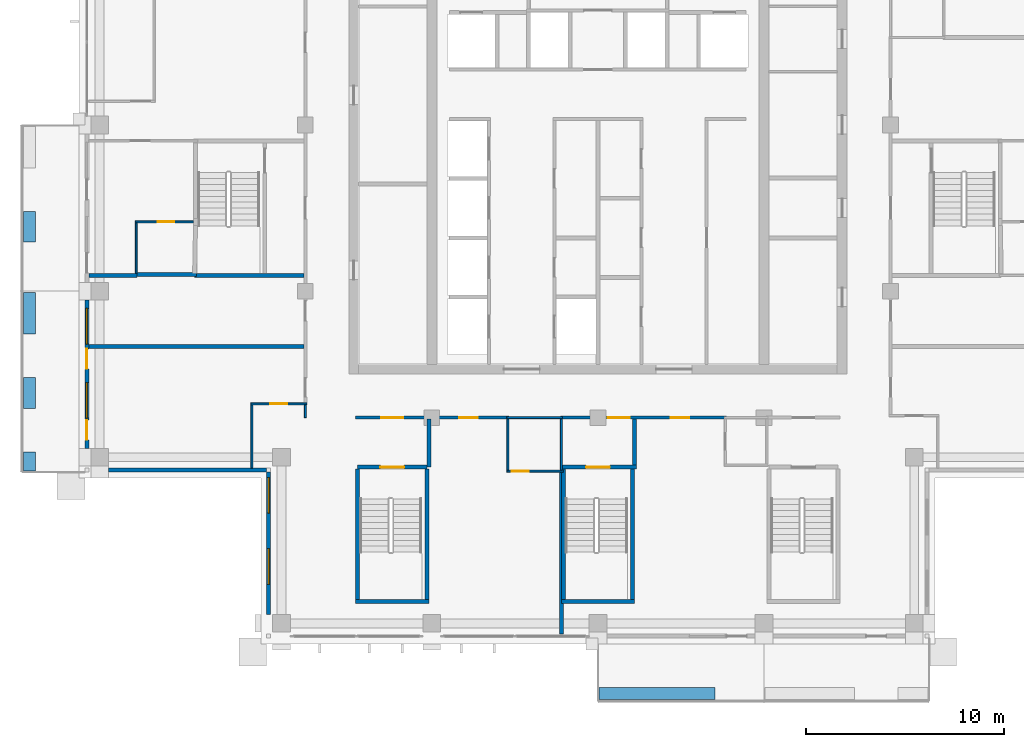
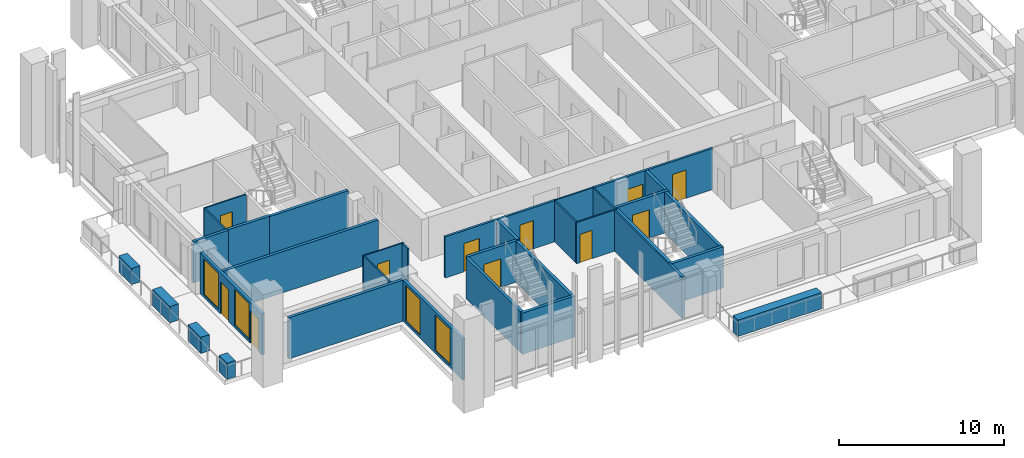
# One storey, part 8 of 18: 34 walls, 11 doors, 4 windows, 15 openings.
"""IFC4 building model written with IfcOpenShell, lengths in metres."""

from ifc_helpers import new_model, si_unit, direction, frame, frame_2d, origin, place, context, subcontext, project, spatial, rectangle, extrude, material, layer, layer_set, type_object, element, fill, save


model = new_model("IFC4")

# Units and contexts
model_context = context("Model", 3, precision=1e-05, world=origin(), true_north=direction((0.0, 1.0)))
body_context = subcontext(model_context, "Body", "Model", "MODEL_VIEW")
ifc_project = project(units=[si_unit("LENGTHUNIT", "METRE"), si_unit("AREAUNIT", "SQUARE_METRE"), si_unit("VOLUMEUNIT", "CUBIC_METRE"), si_unit("PLANEANGLEUNIT", "RADIAN"), si_unit("MASSUNIT", "GRAM", prefix="KILO")], contexts=[model_context])

# Site, building, storey
site_placement = place(None, origin())
site = spatial("IfcSite", under=ifc_project, at=site_placement, CompositionType="ELEMENT")
building_placement = place(site_placement, origin())
building = spatial("IfcBuilding", under=site, at=building_placement, Name="Vermilion Ogive Tower", CompositionType="ELEMENT")
storey_placement = place(building_placement, frame((0.0, 0.0, 240.699951171875)))
storey = spatial("IfcBuildingStorey", under=building, at=storey_placement, Name="L63", CompositionType="ELEMENT", Elevation=240.699951171875)

# Wall, opening, door
ifc_material_1 = material(Name="Gypsum board partition on steel studs", Category="steel")
ifc_layer_1 = layer(ifc_material_1, 0.10009765625)
ifc_layer_set_1 = layer_set([ifc_layer_1], Name="Partition 100 bath")
wall_type_1 = type_object("IfcWallType", Name="Partition 100 bath", PredefinedType="PARTITIONING", material=ifc_layer_set_1)
wall_1_placement = place(storey_placement, frame((-4.60009765625, -13.300048828125, 0.0), z_axis=(0.0, 0.0, 1.0), x_axis=(1.0, 0.0, 0.0)))
wall_1 = element("IfcWall", 1, at=wall_1_placement, inside=storey, type_object=wall_type_1, Name="L63-W-W002", PredefinedType="PARTITIONING", context=body_context, shape_type="SweptSolid", body=[
    extrude(rectangle(XDim=2.85009765625, YDim=0.10009765625, at=frame_2d((1.425048828125, 0.0))), origin(), (0.0, 0.0, 1.0), 3.050048828125),
])
opening_1_placement = place(wall_1_placement, frame((0.25, 0.0, 0.0)))
opening_1 = element("IfcOpeningElement", 2, at=opening_1_placement, cuts=wall_1, Name="Opening D5G3010", PredefinedType="OPENING", context=body_context, shape_type="SweptSolid", body=[
    extrude(rectangle(XDim=0.85009765625, YDim=2.10009765625, at=frame_2d((0.425048828125, 1.050048828125))), frame((0.0, 0.06005859375, 0.0), z_axis=(0.0, -1.0, 0.0), x_axis=(1.0, 0.0, 0.0)), (0.0, 0.0, 1.0), 0.1201171875),
])
ifc_material_2 = material(Name="Timber door leaf", Category="wood")
door_type_1 = type_object("IfcDoorType", Name="Bath door 850 x 2100 FD30", OperationType="SINGLE_SWING_LEFT", PredefinedType="DOOR", material=ifc_material_2)
door_1_placement = place(opening_1_placement, origin())
door_1 = element("IfcDoor", 3, at=door_1_placement, inside=storey, type_object=door_type_1, Name="L63-D-D010", OperationType="SINGLE_SWING_LEFT", OverallHeight=2.10009765625, OverallWidth=0.85009765625, PredefinedType="DOOR", context=body_context, shape_type="SweptSolid", body=[
    extrude(rectangle(XDim=0.85009765625, YDim=2.10009765625, at=frame_2d((0.425048828125, 1.050048828125))), frame((0.0, 0.02490234375, 0.0), z_axis=(0.0, -1.0, 0.0), x_axis=(1.0, 0.0, 0.0)), (0.0, 0.0, 1.0), 0.050048828125),
])
fill(opening_1, door_1)

# Wall
wall_2_placement = place(storey_placement, frame((-4.60009765625, -10.60009765625, 0.0), z_axis=(0.0, 0.0, 1.0), x_axis=(1.0, 0.0, 0.0)))
element("IfcWall", 4, at=wall_2_placement, inside=storey, type_object=wall_type_1, Name="L63-W-W008", PredefinedType="PARTITIONING", context=body_context, shape_type="SweptSolid", body=[
    extrude(rectangle(XDim=2.800048828125, YDim=0.10009765625, at=frame_2d((1.39990234375, 0.0))), origin(), (0.0, 0.0, 1.0), 3.050048828125),
])

# Wall, opening, door
wall_3_placement = place(storey_placement, frame((-17.550048828125, -9.89990234375, 0.0), z_axis=(0.0, 0.0, 1.0), x_axis=(1.0, 0.0, 0.0)))
wall_3 = element("IfcWall", 5, at=wall_3_placement, inside=storey, type_object=wall_type_1, Name="L63-W-W013", PredefinedType="PARTITIONING", context=body_context, shape_type="SweptSolid", body=[
    extrude(rectangle(XDim=2.824951171875, YDim=0.10009765625, at=frame_2d((1.41259765625, 0.0))), origin(), (0.0, 0.0, 1.0), 3.050048828125),
])
opening_2_placement = place(wall_3_placement, frame((0.97509765625, 0.0, 0.0)))
opening_2 = element("IfcOpeningElement", 6, at=opening_2_placement, cuts=wall_3, Name="Opening D5G3002", PredefinedType="OPENING", context=body_context, shape_type="SweptSolid", body=[
    extrude(rectangle(XDim=0.85009765625, YDim=2.10009765625, at=frame_2d((0.425048828125, 1.050048828125))), frame((0.0, 0.06005859375, 0.0), z_axis=(0.0, -1.0, 0.0), x_axis=(1.0, 0.0, 0.0)), (0.0, 0.0, 1.0), 0.1201171875),
])
door_2_placement = place(opening_2_placement, origin())
door_2 = element("IfcDoor", 7, at=door_2_placement, inside=storey, type_object=door_type_1, Name="L63-D-D002", OperationType="SINGLE_SWING_RIGHT", OverallHeight=2.10009765625, OverallWidth=0.85009765625, PredefinedType="DOOR", context=body_context, shape_type="SweptSolid", body=[
    extrude(rectangle(XDim=0.85009765625, YDim=2.10009765625, at=frame_2d((0.425048828125, 1.050048828125))), frame((0.0, 0.02490234375, 0.0), z_axis=(0.0, -1.0, 0.0), x_axis=(1.0, 0.0, 0.0)), (0.0, 0.0, 1.0), 0.050048828125),
])
fill(opening_2, door_2)

wall_4_placement = place(storey_placement, frame((-23.39990234375, -0.699951171875, 0.0), z_axis=(0.0, 0.0, 1.0), x_axis=(1.0, 0.0, 0.0)))
wall_4 = element("IfcWall", 8, at=wall_4_placement, inside=storey, type_object=wall_type_1, Name="L63-W-W022", PredefinedType="PARTITIONING", context=body_context, shape_type="SweptSolid", body=[
    extrude(rectangle(XDim=2.949951171875, YDim=0.10009765625, at=frame_2d((1.47509765625, 0.0))), origin(), (0.0, 0.0, 1.0), 3.050048828125),
])
opening_3_placement = place(wall_4_placement, frame((1.125, 0.0, 0.0)))
opening_3 = element("IfcOpeningElement", 9, at=opening_3_placement, cuts=wall_4, Name="Opening D5G3006", PredefinedType="OPENING", context=body_context, shape_type="SweptSolid", body=[
    extrude(rectangle(XDim=0.85009765625, YDim=2.10009765625, at=frame_2d((0.425048828125, 1.050048828125))), frame((0.0, 0.06005859375, 0.0), z_axis=(0.0, -1.0, 0.0), x_axis=(1.0, 0.0, 0.0)), (0.0, 0.0, 1.0), 0.1201171875),
])
door_3_placement = place(opening_3_placement, origin())
door_3 = element("IfcDoor", 10, at=door_3_placement, inside=storey, type_object=door_type_1, Name="L63-D-D006", OperationType="SINGLE_SWING_RIGHT", OverallHeight=2.10009765625, OverallWidth=0.85009765625, PredefinedType="DOOR", context=body_context, shape_type="SweptSolid", body=[
    extrude(rectangle(XDim=0.85009765625, YDim=2.10009765625, at=frame_2d((0.425048828125, 1.050048828125))), frame((0.0, 0.02490234375, 0.0), z_axis=(0.0, -1.0, 0.0), x_axis=(1.0, 0.0, 0.0)), (0.0, 0.0, 1.0), 0.050048828125),
])
fill(opening_3, door_3)

# Walls
wall_5_placement = place(storey_placement, frame((-23.35009765625, -3.300048828125, 0.0), z_axis=(0.0, 0.0, 1.0), x_axis=(0.0, 1.0, 0.0)))
element("IfcWall", 11, at=wall_5_placement, inside=storey, type_object=wall_type_1, Name="L63-W-W037", PredefinedType="PARTITIONING", context=body_context, shape_type="SweptSolid", body=[
    extrude(rectangle(XDim=2.550048828125, YDim=0.10009765625, at=frame_2d((1.27490234375, 0.0))), origin(), (0.0, 0.0, 1.0), 3.050048828125),
])
wall_6_placement = place(storey_placement, frame((-17.5, -13.14990234375, 0.0), z_axis=(0.0, 0.0, 1.0), x_axis=(0.0, 1.0, 0.0)))
element("IfcWall", 12, at=wall_6_placement, inside=storey, type_object=wall_type_1, Name="L63-W-W041", PredefinedType="PARTITIONING", context=body_context, shape_type="SweptSolid", body=[
    extrude(rectangle(XDim=3.199951171875, YDim=0.10009765625, at=frame_2d((1.60009765625, 0.0))), origin(), (0.0, 0.0, 1.0), 3.050048828125),
])
wall_7_placement = place(storey_placement, frame((-14.800048828125, -10.60009765625, 0.0), z_axis=(0.0, 0.0, 1.0), x_axis=(0.0, 1.0, 0.0)))
element("IfcWall", 13, at=wall_7_placement, inside=storey, type_object=wall_type_1, Name="L63-W-W043", PredefinedType="PARTITIONING", context=body_context, shape_type="SweptSolid", body=[
    extrude(rectangle(XDim=0.650146484375, YDim=0.10009765625, at=frame_2d((0.3251953125, 0.0))), origin(), (0.0, 0.0, 1.0), 3.050048828125),
])
for number, where, z_axis, x_axis, name in (
    (14, (-4.550048828125, -13.25, 0.0), (0.0, 0.0, 1.0), (0.0, 1.0, 0.0), "L63-W-W046"),
    (15, (-1.85009765625, -13.25, 0.0), (0.0, 0.0, 1.0), (0.0, 1.0, 0.0), "L63-W-W048"),
):
    element("IfcWall", number, at=place(storey_placement, frame(where, z_axis=z_axis, x_axis=x_axis)), inside=storey, type_object=wall_type_1, Name=name, PredefinedType="PARTITIONING", context=body_context, shape_type="SweptSolid", body=[
        extrude(rectangle(XDim=2.574951171875, YDim=0.10009765625, at=frame_2d((1.28759765625, 0.0))), origin(), (0.0, 0.0, 1.0), 3.050048828125),
    ])

# Wall, openings, doors
ifc_material_3 = material(Name="Gypsum board partition on steel studs", Category="steel")
ifc_layer_2 = layer(ifc_material_3, 0.14990234375)
ifc_layer_set_2 = layer_set([ifc_layer_2], Name="Partition 150 corridor")
wall_type_2 = type_object("IfcWallType", Name="Partition 150 corridor", PredefinedType="PARTITIONING", material=ifc_layer_set_2)
wall_8_placement = place(storey_placement, frame((-12.25, -10.60009765625, 0.0), z_axis=(0.0, 0.0, 1.0), x_axis=(1.0, 0.0, 0.0)))
wall_8 = element("IfcWall", 16, at=wall_8_placement, inside=storey, type_object=wall_type_2, Name="L63-W-W007", PredefinedType="PARTITIONING", context=body_context, shape_type="SweptSolid", body=[
    extrude(rectangle(XDim=7.75, YDim=0.14990234375, at=frame_2d((3.875, 0.0))), origin(), (0.0, 0.0, 1.0), 3.050048828125),
])
opening_4_placement = place(wall_8_placement, frame((5.22509765625, 0.0, 0.0)))
opening_4 = element("IfcOpeningElement", 17, at=opening_4_placement, cuts=wall_8, Name="Opening D5G3009", PredefinedType="OPENING", context=body_context, shape_type="SweptSolid", body=[
    extrude(rectangle(XDim=0.949951171875, YDim=2.10009765625, at=frame_2d((0.47509765625, 1.050048828125))), frame((0.0, 0.0849609375, 0.0), z_axis=(0.0, -1.0, 0.0), x_axis=(1.0, 0.0, 0.0)), (0.0, 0.0, 1.0), 0.169921875),
])
opening_5_placement = place(wall_8_placement, frame((1.300048828125, 0.0, 0.0)))
opening_5 = element("IfcOpeningElement", 18, at=opening_5_placement, cuts=wall_8, Name="Opening D5G3023", PredefinedType="OPENING", context=body_context, shape_type="SweptSolid", body=[
    extrude(rectangle(XDim=1.10009765625, YDim=2.10009765625, at=frame_2d((0.550048828125, 1.050048828125))), frame((0.0, 0.0849609375, 0.0), z_axis=(0.0, -1.0, 0.0), x_axis=(1.0, 0.0, 0.0)), (0.0, 0.0, 1.0), 0.169921875),
])
ifc_material_4 = material(Name="Timber door leaf", Category="wood")
door_type_2 = type_object("IfcDoorType", Name="Stair door 1100 x 2100 FD60S", OperationType="SINGLE_SWING_LEFT", PredefinedType="DOOR", material=ifc_material_4)
door_4_placement = place(opening_5_placement, origin())
door_4 = element("IfcDoor", 19, at=door_4_placement, inside=storey, type_object=door_type_2, Name="L63-D-D023", OperationType="SINGLE_SWING_RIGHT", OverallHeight=2.10009765625, OverallWidth=1.10009765625, PredefinedType="DOOR", context=body_context, shape_type="SweptSolid", body=[
    extrude(rectangle(XDim=1.10009765625, YDim=2.10009765625, at=frame_2d((0.550048828125, 1.050048828125))), frame((0.0, 0.02490234375, 0.0), z_axis=(0.0, -1.0, 0.0), x_axis=(1.0, 0.0, 0.0)), (0.0, 0.0, 1.0), 0.050048828125),
])
fill(opening_5, door_4)
ifc_material_5 = material(Name="Timber door leaf", Category="wood")
door_type_3 = type_object("IfcDoorType", Name="Unit door 950 x 2100 FD30S", OperationType="SINGLE_SWING_LEFT", PredefinedType="DOOR", material=ifc_material_5)
door_5_placement = place(opening_4_placement, origin())
door_5 = element("IfcDoor", 20, at=door_5_placement, inside=storey, type_object=door_type_3, Name="L63-D-D009", OperationType="SINGLE_SWING_LEFT", OverallHeight=2.10009765625, OverallWidth=0.949951171875, PredefinedType="DOOR", context=body_context, shape_type="SweptSolid", body=[
    extrude(rectangle(XDim=0.949951171875, YDim=2.10009765625, at=frame_2d((0.47509765625, 1.050048828125))), frame((0.0, 0.02490234375, 0.0), z_axis=(0.0, -1.0, 0.0), x_axis=(1.0, 0.0, 0.0)), (0.0, 0.0, 1.0), 0.050048828125),
])
fill(opening_4, door_5)

wall_9_placement = place(storey_placement, frame((-1.89990234375, -10.60009765625, 0.0), z_axis=(0.0, 0.0, 1.0), x_axis=(1.0, 0.0, 0.0)))
wall_9 = element("IfcWall", 21, at=wall_9_placement, inside=storey, type_object=wall_type_2, Name="L63-W-W009", PredefinedType="PARTITIONING", context=body_context, shape_type="SweptSolid", body=[
    extrude(rectangle(XDim=8.39990234375, YDim=0.14990234375, at=frame_2d((4.199951171875, 0.0))), origin(), (0.0, 0.0, 1.0), 3.050048828125),
])
opening_6_placement = place(wall_9_placement, frame((5.574951171875, 0.0, 0.0)))
opening_6 = element("IfcOpeningElement", 22, at=opening_6_placement, cuts=wall_9, Name="Opening D5G3011", PredefinedType="OPENING", context=body_context, shape_type="SweptSolid", body=[
    extrude(rectangle(XDim=0.949951171875, YDim=2.10009765625, at=frame_2d((0.47509765625, 1.050048828125))), frame((0.0, 0.0849609375, 0.0), z_axis=(0.0, -1.0, 0.0), x_axis=(1.0, 0.0, 0.0)), (0.0, 0.0, 1.0), 0.169921875),
])
opening_7_placement = place(wall_9_placement, frame((2.39990234375, 0.0, 0.0)))
opening_7 = element("IfcOpeningElement", 23, at=opening_7_placement, cuts=wall_9, Name="Opening D5G3025", PredefinedType="OPENING", context=body_context, shape_type="SweptSolid", body=[
    extrude(rectangle(XDim=1.10009765625, YDim=2.10009765625, at=frame_2d((0.550048828125, 1.050048828125))), frame((0.0, 0.0849609375, 0.0), z_axis=(0.0, -1.0, 0.0), x_axis=(1.0, 0.0, 0.0)), (0.0, 0.0, 1.0), 0.169921875),
])
door_6_placement = place(opening_7_placement, origin())
door_6 = element("IfcDoor", 24, at=door_6_placement, inside=storey, type_object=door_type_2, Name="L63-D-D025", OperationType="SINGLE_SWING_LEFT", OverallHeight=2.10009765625, OverallWidth=1.10009765625, PredefinedType="DOOR", context=body_context, shape_type="SweptSolid", body=[
    extrude(rectangle(XDim=1.10009765625, YDim=2.10009765625, at=frame_2d((0.550048828125, 1.050048828125))), frame((0.0, 0.02490234375, 0.0), z_axis=(0.0, -1.0, 0.0), x_axis=(1.0, 0.0, 0.0)), (0.0, 0.0, 1.0), 0.050048828125),
])
fill(opening_7, door_6)
door_7_placement = place(opening_6_placement, origin())
door_7 = element("IfcDoor", 25, at=door_7_placement, inside=storey, type_object=door_type_3, Name="L63-D-D011", OperationType="SINGLE_SWING_LEFT", OverallHeight=2.10009765625, OverallWidth=0.949951171875, PredefinedType="DOOR", context=body_context, shape_type="SweptSolid", body=[
    extrude(rectangle(XDim=0.949951171875, YDim=2.10009765625, at=frame_2d((0.47509765625, 1.050048828125))), frame((0.0, 0.02490234375, 0.0), z_axis=(0.0, -1.0, 0.0), x_axis=(1.0, 0.0, 0.0)), (0.0, 0.0, 1.0), 0.050048828125),
])
fill(opening_6, door_7)

# Walls
ifc_material_6 = material(Name="Gypsum board partition on steel studs", Category="steel")
ifc_layer_3 = layer(ifc_material_6, 0.199951171875)
ifc_layer_set_3 = layer_set([ifc_layer_3], Name="Partition 200 party")
wall_type_3 = type_object("IfcWallType", Name="Partition 200 party", PredefinedType="PARTITIONING", material=ifc_layer_set_3)
wall_10_placement = place(storey_placement, frame((-25.75, -7.0, 0.0), z_axis=(0.0, 0.0, 1.0), x_axis=(1.0, 0.0, 0.0)))
element("IfcWall", 26, at=wall_10_placement, inside=storey, type_object=wall_type_3, Name="L63-W-W014", PredefinedType="PARTITIONING", context=body_context, shape_type="SweptSolid", body=[
    extrude(rectangle(XDim=10.875, YDim=0.199951171875, at=frame_2d((5.4375, 0.0))), origin(), (0.0, 0.0, 1.0), 3.050048828125),
])
wall_11_placement = place(storey_placement, frame((-25.75, -3.39990234375, 0.0), z_axis=(0.0, 0.0, 1.0), x_axis=(1.0, 0.0, 0.0)))
element("IfcWall", 27, at=wall_11_placement, inside=storey, type_object=wall_type_3, Name="L63-W-W016", PredefinedType="PARTITIONING", context=body_context, shape_type="SweptSolid", body=[
    extrude(rectangle(XDim=2.449951171875, YDim=0.199951171875, at=frame_2d((1.22509765625, 0.0))), origin(), (0.0, 0.0, 1.0), 3.050048828125),
])
wall_12_placement = place(storey_placement, frame((-8.550048828125, -13.10009765625, 0.0), z_axis=(0.0, 0.0, 1.0), x_axis=(0.0, 1.0, 0.0)))
element("IfcWall", 28, at=wall_12_placement, inside=storey, type_object=wall_type_3, Name="L63-W-W045", PredefinedType="PARTITIONING", context=body_context, shape_type="SweptSolid", body=[
    extrude(rectangle(XDim=2.425048828125, YDim=0.199951171875, at=frame_2d((1.21240234375, 0.0))), origin(), (0.0, 0.0, 1.0), 3.050048828125),
])
wall_13_placement = place(storey_placement, frame((1.85009765625, -12.998046875, 0.0), z_axis=(0.0, 0.0, 1.0), x_axis=(0.0, 1.0, 0.0)))
element("IfcWall", 29, at=wall_13_placement, inside=storey, type_object=wall_type_3, Name="L63-W-W051", PredefinedType="PARTITIONING", context=body_context, shape_type="SweptSolid", body=[
    extrude(rectangle(XDim=2.322998046875, YDim=0.199951171875, at=frame_2d((1.16162109375, 0.0))), origin(), (0.0, 0.0, 1.0), 3.050048828125),
])
ifc_material_7 = material(Name="Concrete B60", Category="concrete")
ifc_layer_4 = layer(ifc_material_7, 0.199951171875)
ifc_layer_set_4 = layer_set([ifc_layer_4], Name="Stair shaft wall 200 Concrete B60")
wall_type_4 = type_object("IfcWallType", Name="Stair shaft wall 200 Concrete B60", PredefinedType="SOLIDWALL", material=ifc_layer_set_4)
wall_14_placement = place(storey_placement, frame((-1.847900390625, -19.89990234375, 0.0), z_axis=(0.0, 0.0, 1.0), x_axis=(1.0, 0.0, 0.0)))
element("IfcWall", 30, at=wall_14_placement, inside=storey, type_object=wall_type_4, Name="L63-W-W001", PredefinedType="SOLIDWALL", context=body_context, shape_type="SweptSolid", body=[
    extrude(rectangle(XDim=3.69580078125, YDim=0.199951171875, at=frame_2d((1.847900390625, 0.0))), origin(), (0.0, 0.0, 1.0), 3.050048828125),
])

# Wall, opening, door
wall_15_placement = place(storey_placement, frame((-12.14990234375, -13.10009765625, 0.0), z_axis=(0.0, 0.0, 1.0), x_axis=(1.0, 0.0, 0.0)))
wall_15 = element("IfcWall", 31, at=wall_15_placement, inside=storey, type_object=wall_type_4, Name="L63-W-W003", PredefinedType="SOLIDWALL", context=body_context, shape_type="SweptSolid", body=[
    extrude(rectangle(XDim=3.5, YDim=0.199951171875, at=frame_2d((1.75, 0.0))), origin(), (0.0, 0.0, 1.0), 3.050048828125),
])
opening_8_placement = place(wall_15_placement, frame((1.14990234375, 0.0, 0.0)))
opening_8 = element("IfcOpeningElement", 32, at=opening_8_placement, cuts=wall_15, Name="Opening D5G3024", PredefinedType="OPENING", context=body_context, shape_type="SweptSolid", body=[
    extrude(rectangle(XDim=1.199951171875, YDim=2.10009765625, at=frame_2d((0.60009765625, 1.050048828125))), frame((0.0, 0.10986328125, 0.0), z_axis=(0.0, -1.0, 0.0), x_axis=(1.0, 0.0, 0.0)), (0.0, 0.0, 1.0), 0.219970703125),
])
ifc_material_8 = material(Name="Timber door leaf", Category="wood")
door_type_4 = type_object("IfcDoorType", Name="Stair door 1200 x 2100 FD60S", OperationType="SINGLE_SWING_LEFT", PredefinedType="DOOR", material=ifc_material_8)
door_8_placement = place(opening_8_placement, origin())
door_8 = element("IfcDoor", 33, at=door_8_placement, inside=storey, type_object=door_type_4, Name="L63-D-D024", OperationType="SINGLE_SWING_RIGHT", OverallHeight=2.10009765625, OverallWidth=1.199951171875, PredefinedType="DOOR", context=body_context, shape_type="SweptSolid", body=[
    extrude(rectangle(XDim=1.199951171875, YDim=2.10009765625, at=frame_2d((0.60009765625, 1.050048828125))), frame((0.0, 0.02490234375, 0.0), z_axis=(0.0, -1.0, 0.0), x_axis=(1.0, 0.0, 0.0)), (0.0, 0.0, 1.0), 0.050048828125),
])
fill(opening_8, door_8)

wall_16_placement = place(storey_placement, frame((-1.798095703125, -13.10009765625, 0.0), z_axis=(0.0, 0.0, 1.0), x_axis=(1.0, 0.0, 0.0)))
wall_16 = element("IfcWall", 34, at=wall_16_placement, inside=storey, type_object=wall_type_4, Name="L63-W-W004", PredefinedType="SOLIDWALL", context=body_context, shape_type="SweptSolid", body=[
    extrude(rectangle(XDim=3.74609375, YDim=0.199951171875, at=frame_2d((1.873046875, 0.0))), origin(), (0.0, 0.0, 1.0), 3.050048828125),
])
opening_9_placement = place(wall_16_placement, frame((1.197998046875, 0.0, 0.0)))
opening_9 = element("IfcOpeningElement", 35, at=opening_9_placement, cuts=wall_16, Name="Opening D5G3026", PredefinedType="OPENING", context=body_context, shape_type="SweptSolid", body=[
    extrude(rectangle(XDim=1.199951171875, YDim=2.10009765625, at=frame_2d((0.60009765625, 1.050048828125))), frame((0.0, 0.10986328125, 0.0), z_axis=(0.0, -1.0, 0.0), x_axis=(1.0, 0.0, 0.0)), (0.0, 0.0, 1.0), 0.219970703125),
])
door_9_placement = place(opening_9_placement, origin())
door_9 = element("IfcDoor", 36, at=door_9_placement, inside=storey, type_object=door_type_4, Name="L63-D-D026", OperationType="SINGLE_SWING_RIGHT", OverallHeight=2.10009765625, OverallWidth=1.199951171875, PredefinedType="DOOR", context=body_context, shape_type="SweptSolid", body=[
    extrude(rectangle(XDim=1.199951171875, YDim=2.10009765625, at=frame_2d((0.60009765625, 1.050048828125))), frame((0.0, 0.02490234375, 0.0), z_axis=(0.0, -1.0, 0.0), x_axis=(1.0, 0.0, 0.0)), (0.0, 0.0, 1.0), 0.050048828125),
])
fill(opening_9, door_9)

# Walls
wall_17_placement = place(storey_placement, frame((-23.39990234375, -3.349853515625, 0.0), z_axis=(0.0, 0.0, 1.0), x_axis=(1.0, 0.0, 0.0)))
element("IfcWall", 37, at=wall_17_placement, inside=storey, type_object=wall_type_4, Name="L63-W-W017", PredefinedType="SOLIDWALL", context=body_context, shape_type="SweptSolid", body=[
    extrude(rectangle(XDim=3.099853515625, YDim=0.199951171875, at=frame_2d((1.5498046875, 0.0))), origin(), (0.0, 0.0, 1.0), 3.050048828125),
])
wall_18_placement = place(storey_placement, frame((-20.39990234375, -3.39990234375, 0.0), z_axis=(0.0, 0.0, 1.0), x_axis=(1.0, 0.0, 0.0)))
element("IfcWall", 38, at=wall_18_placement, inside=storey, type_object=wall_type_4, Name="L63-W-W018", PredefinedType="SOLIDWALL", context=body_context, shape_type="SweptSolid", body=[
    extrude(rectangle(XDim=5.52490234375, YDim=0.199951171875, at=frame_2d((2.762451171875, 0.0))), origin(), (0.0, 0.0, 1.0), 3.050048828125),
])
for number, where, z_axis, x_axis, name in (
    (39, (-1.75, -19.798095703125, 0.0), (0.0, 0.0, 1.0), (0.0, 1.0, 0.0), "L63-W-W049"),
    (40, (1.75, -19.798095703125, 0.0), (0.0, 0.0, 1.0), (0.0, 1.0, 0.0), "L63-W-W050"),
):
    element("IfcWall", number, at=place(storey_placement, frame(where, z_axis=z_axis, x_axis=x_axis)), inside=storey, type_object=wall_type_4, Name=name, PredefinedType="SOLIDWALL", context=body_context, shape_type="SweptSolid", body=[
        extrude(rectangle(XDim=6.59619140625, YDim=0.199951171875, at=frame_2d((3.298095703125, 0.0))), origin(), (0.0, 0.0, 1.0), 3.050048828125),
    ])
wall_19_placement = place(storey_placement, frame((-12.25, -19.89990234375, 0.0), z_axis=(0.0, 0.0, 1.0), x_axis=(1.0, 0.0, 0.0)))
element("IfcWall", 41, at=wall_19_placement, inside=storey, type_object=wall_type_4, Name="L63-SW-ST3-S1", PredefinedType="SOLIDWALL", context=body_context, shape_type="SweptSolid", body=[
    extrude(rectangle(XDim=3.699951171875, YDim=0.199951171875, at=frame_2d((1.85009765625, 0.0))), origin(), (0.0, 0.0, 1.0), 3.050048828125),
])
for number, where, z_axis, x_axis, name in (
    (42, (-12.14990234375, -19.800048828125, 0.0), (0.0, 0.0, 1.0), (0.0, 1.0, 0.0), "L63-SW-ST3-W1"),
    (43, (-8.64990234375, -19.800048828125, 0.0), (0.0, 0.0, 1.0), (0.0, 1.0, 0.0), "L63-SW-ST3-E1"),
):
    element("IfcWall", number, at=place(storey_placement, frame(where, z_axis=z_axis, x_axis=x_axis)), inside=storey, type_object=wall_type_4, Name=name, PredefinedType="SOLIDWALL", context=body_context, shape_type="SweptSolid", body=[
        extrude(rectangle(XDim=6.60009765625, YDim=0.199951171875, at=frame_2d((3.300048828125, 0.0))), origin(), (0.0, 0.0, 1.0), 3.050048828125),
    ])
wall_20_placement = place(storey_placement, frame((-1.85009765625, -21.550048828125, 0.0), z_axis=(0.0, 0.0, 1.0), x_axis=(0.0, 1.0, 0.0)))
element("IfcWall", 44, at=wall_20_placement, inside=storey, type_object=wall_type_4, Name="L63-W-W047-A", PredefinedType="SOLIDWALL", context=body_context, shape_type="SweptSolid", body=[
    extrude(rectangle(XDim=8.199951171875, YDim=0.199951171875, at=frame_2d((4.10009765625, 0.0))), origin(), (0.0, 0.0, 1.0), 3.050048828125),
])
ifc_material_9 = material(Name="Concrete B40", Category="concrete")
ifc_layer_5 = layer(ifc_material_9, 0.60009765625)
ifc_layer_set_5 = layer_set([ifc_layer_5], Name="Structural planter")
wall_type_5 = type_object("IfcWallType", Name="Structural planter", PredefinedType="USERDEFINED", material=ifc_layer_set_5)
wall_21_placement = place(storey_placement, frame((0.06005859375, -24.550048828125, -0.0400390625), z_axis=(0.0, 0.0, 1.0), x_axis=(1.0, 0.0, 0.0)))
element("IfcWall", 45, at=wall_21_placement, inside=storey, type_object=wall_type_5, Name="Planter S03A1", ObjectType="PLANTER", PredefinedType="USERDEFINED", context=body_context, shape_type="SweptSolid", body=[
    extrude(rectangle(XDim=5.864990234375, YDim=0.60009765625, at=frame_2d((2.9326171875, 0.0))), origin(), (0.0, 0.0, 1.0), 1.2001953125),
])
wall_22_placement = place(storey_placement, frame((-28.75, -0.175048828125, -0.0400390625), z_axis=(0.0, 0.0, 1.0), x_axis=(0.0, -1.0, 0.0)))
element("IfcWall", 46, at=wall_22_placement, inside=storey, type_object=wall_type_5, Name="Planter W02A2", ObjectType="PLANTER", PredefinedType="USERDEFINED", context=body_context, shape_type="SweptSolid", body=[
    extrude(rectangle(XDim=1.550048828125, YDim=0.60009765625, at=frame_2d((0.77490234375, 0.0))), origin(), (0.0, 0.0, 1.0), 1.2001953125),
])
wall_23_placement = place(storey_placement, frame((-28.75, -4.260009765625, -0.0400390625), z_axis=(0.0, 0.0, 1.0), x_axis=(0.0, -1.0, 0.0)))
element("IfcWall", 47, at=wall_23_placement, inside=storey, type_object=wall_type_5, Name="Planter W03A1", ObjectType="PLANTER", PredefinedType="USERDEFINED", context=body_context, shape_type="SweptSolid", body=[
    extrude(rectangle(XDim=2.114990234375, YDim=0.60009765625, at=frame_2d((1.0576171875, 0.0))), origin(), (0.0, 0.0, 1.0), 1.2001953125),
])
wall_24_placement = place(storey_placement, frame((-28.75, -8.574951171875, -0.0400390625), z_axis=(0.0, 0.0, 1.0), x_axis=(0.0, -1.0, 0.0)))
element("IfcWall", 48, at=wall_24_placement, inside=storey, type_object=wall_type_5, Name="Planter W03A2", ObjectType="PLANTER", PredefinedType="USERDEFINED", context=body_context, shape_type="SweptSolid", body=[
    extrude(rectangle(XDim=1.550048828125, YDim=0.60009765625, at=frame_2d((0.77490234375, 0.0))), origin(), (0.0, 0.0, 1.0), 1.2001953125),
])
wall_25_placement = place(storey_placement, frame((-28.75, -12.324951171875, -0.0400390625), z_axis=(0.0, 0.0, 1.0), x_axis=(0.0, -1.0, 0.0)))
element("IfcWall", 49, at=wall_25_placement, inside=storey, type_object=wall_type_5, Name="Planter W03A3", ObjectType="PLANTER", PredefinedType="USERDEFINED", context=body_context, shape_type="SweptSolid", body=[
    extrude(rectangle(XDim=0.965087890625, YDim=0.60009765625, at=frame_2d((0.482421875, 0.0))), origin(), (0.0, 0.0, 1.0), 1.2001953125),
])

# Wall, openings, doors, windows
ifc_material_10 = material(Name="Aluminium window wall framing", Category="aluminium")
ifc_layer_6 = layer(ifc_material_10, 0.199951171875)
ifc_layer_set_6 = layer_set([ifc_layer_6], Name="Window wall")
wall_type_6 = type_object("IfcWallType", Name="Window wall", PredefinedType="STANDARD", material=ifc_layer_set_6)
wall_26_placement = place(storey_placement, frame((-25.85009765625, -4.64990234375, 0.0), z_axis=(0.0, 0.0, 1.0), x_axis=(0.0, -1.0, 0.0)))
wall_26 = element("IfcWall", 50, at=wall_26_placement, inside=storey, type_object=wall_type_6, Name="Window wall W3", PredefinedType="STANDARD", context=body_context, shape_type="SweptSolid", body=[
    extrude(rectangle(XDim=7.5, YDim=0.199951171875, at=frame_2d((3.75, 0.0))), origin(), (0.0, 0.0, 1.0), 3.050048828125),
])
opening_10_placement = place(wall_26_placement, frame((4.175048828125, 0.0, 0.199951171875)))
opening_10 = element("IfcOpeningElement", 51, at=opening_10_placement, cuts=wall_26, Name="Opening W1-W97", PredefinedType="OPENING", context=body_context, shape_type="SweptSolid", body=[
    extrude(rectangle(XDim=1.800048828125, YDim=2.64990234375, at=frame_2d((0.89990234375, 1.324951171875))), frame((0.0, 0.10986328125, 0.0), z_axis=(0.0, -1.0, 0.0), x_axis=(1.0, 0.0, 0.0)), (0.0, 0.0, 1.0), 0.219970703125),
])
opening_11_placement = place(wall_26_placement, frame((6.074951171875, 0.0, 0.0)))
opening_11 = element("IfcOpeningElement", 52, at=opening_11_placement, cuts=wall_26, Name="Opening D1-W97", PredefinedType="OPENING", context=body_context, shape_type="SweptSolid", body=[
    extrude(rectangle(XDim=1.0, YDim=2.39990234375, at=frame_2d((0.5, 1.199951171875))), frame((0.0, 0.10986328125, 0.0), z_axis=(0.0, -1.0, 0.0), x_axis=(1.0, 0.0, 0.0)), (0.0, 0.0, 1.0), 0.219970703125),
])
opening_12_placement = place(wall_26_placement, frame((0.425048828125, 0.0, 0.199951171875)))
opening_12 = element("IfcOpeningElement", 53, at=opening_12_placement, cuts=wall_26, Name="Opening W1-W98", PredefinedType="OPENING", context=body_context, shape_type="SweptSolid", body=[
    extrude(rectangle(XDim=1.800048828125, YDim=2.64990234375, at=frame_2d((0.89990234375, 1.324951171875))), frame((0.0, 0.10986328125, 0.0), z_axis=(0.0, -1.0, 0.0), x_axis=(1.0, 0.0, 0.0)), (0.0, 0.0, 1.0), 0.219970703125),
])
opening_13_placement = place(wall_26_placement, frame((2.47509765625, 0.0, 0.0)))
opening_13 = element("IfcOpeningElement", 54, at=opening_13_placement, cuts=wall_26, Name="Opening D1-W98", PredefinedType="OPENING", context=body_context, shape_type="SweptSolid", body=[
    extrude(rectangle(XDim=1.0, YDim=2.39990234375, at=frame_2d((0.5, 1.199951171875))), frame((0.0, 0.10986328125, 0.0), z_axis=(0.0, -1.0, 0.0), x_axis=(1.0, 0.0, 0.0)), (0.0, 0.0, 1.0), 0.219970703125),
])
ifc_material_11 = material(Name="Aluminium framed glazed door", Category="aluminium")
door_type_5 = type_object("IfcDoorType", Name="Balcony door D1", OperationType="SINGLE_SWING_LEFT", PredefinedType="DOOR", material=ifc_material_11)
door_10_placement = place(opening_11_placement, origin())
door_10 = element("IfcDoor", 55, at=door_10_placement, inside=storey, type_object=door_type_5, Name="Balcony door W97", OperationType="SINGLE_SWING_LEFT", OverallHeight=2.39990234375, OverallWidth=1.0, PredefinedType="DOOR", context=body_context, shape_type="SweptSolid", body=[
    extrude(rectangle(XDim=1.0, YDim=2.39990234375, at=frame_2d((0.5, 1.199951171875))), frame((0.0, 0.02490234375, 0.0), z_axis=(0.0, -1.0, 0.0), x_axis=(1.0, 0.0, 0.0)), (0.0, 0.0, 1.0), 0.050048828125),
])
fill(opening_11, door_10)
door_11_placement = place(opening_13_placement, origin())
door_11 = element("IfcDoor", 56, at=door_11_placement, inside=storey, type_object=door_type_5, Name="Balcony door W98", OperationType="SINGLE_SWING_LEFT", OverallHeight=2.39990234375, OverallWidth=1.0, PredefinedType="DOOR", context=body_context, shape_type="SweptSolid", body=[
    extrude(rectangle(XDim=1.0, YDim=2.39990234375, at=frame_2d((0.5, 1.199951171875))), frame((0.0, 0.02490234375, 0.0), z_axis=(0.0, -1.0, 0.0), x_axis=(1.0, 0.0, 0.0)), (0.0, 0.0, 1.0), 0.050048828125),
])
fill(opening_13, door_11)
ifc_material_12 = material(Name="Aluminium framed double glazing", Category="aluminium")
window_type = type_object("IfcWindowType", Name="Guest window W1", PartitioningType="SINGLE_PANEL", PredefinedType="WINDOW", material=ifc_material_12)
window_1_placement = place(opening_10_placement, origin())
window_1 = element("IfcWindow", 57, at=window_1_placement, inside=storey, type_object=window_type, Name="Window W97", OverallHeight=2.64990234375, OverallWidth=1.800048828125, PartitioningType="SINGLE_PANEL", PredefinedType="WINDOW", context=body_context, shape_type="SweptSolid", body=[
    extrude(rectangle(XDim=1.800048828125, YDim=2.64990234375, at=frame_2d((0.89990234375, 1.324951171875))), frame((0.0, 0.030029296875, 0.0), z_axis=(0.0, -1.0, 0.0), x_axis=(1.0, 0.0, 0.0)), (0.0, 0.0, 1.0), 0.06005859375),
])
fill(opening_10, window_1)
window_2_placement = place(opening_12_placement, origin())
window_2 = element("IfcWindow", 58, at=window_2_placement, inside=storey, type_object=window_type, Name="Window W98", OverallHeight=2.64990234375, OverallWidth=1.800048828125, PartitioningType="SINGLE_PANEL", PredefinedType="WINDOW", context=body_context, shape_type="SweptSolid", body=[
    extrude(rectangle(XDim=1.800048828125, YDim=2.64990234375, at=frame_2d((0.89990234375, 1.324951171875))), frame((0.0, 0.030029296875, 0.0), z_axis=(0.0, -1.0, 0.0), x_axis=(1.0, 0.0, 0.0)), (0.0, 0.0, 1.0), 0.06005859375),
])
fill(opening_12, window_2)

# Wall
wall_27_placement = place(storey_placement, frame((-24.75, -13.25, 0.0), z_axis=(0.0, 0.0, 1.0), x_axis=(1.0, 0.0, 0.0)))
element("IfcWall", 59, at=wall_27_placement, inside=storey, type_object=wall_type_6, Name="Window wall X71", PredefinedType="STANDARD", context=body_context, shape_type="SweptSolid", body=[
    extrude(rectangle(XDim=8.0, YDim=0.199951171875, at=frame_2d((4.0, 0.0))), origin(), (0.0, 0.0, 1.0), 3.050048828125),
])

# Wall, openings, windows
wall_28_placement = place(storey_placement, frame((-16.64990234375, -13.35009765625, 0.0), z_axis=(0.0, 0.0, 1.0), x_axis=(0.0, -1.0, 0.0)))
wall_28 = element("IfcWall", 60, at=wall_28_placement, inside=storey, type_object=wall_type_6, Name="Window wall X81", PredefinedType="STANDARD", context=body_context, shape_type="SweptSolid", body=[
    extrude(rectangle(XDim=7.199951171875, YDim=0.199951171875, at=frame_2d((3.60009765625, 0.0))), origin(), (0.0, 0.0, 1.0), 3.050048828125),
])
opening_14_placement = place(wall_28_placement, frame((3.875, 0.0, 0.199951171875)))
opening_14 = element("IfcOpeningElement", 61, at=opening_14_placement, cuts=wall_28, Name="Opening W1-X895", PredefinedType="OPENING", context=body_context, shape_type="SweptSolid", body=[
    extrude(rectangle(XDim=1.800048828125, YDim=2.64990234375, at=frame_2d((0.89990234375, 1.324951171875))), frame((0.0, 0.10986328125, 0.0), z_axis=(0.0, -1.0, 0.0), x_axis=(1.0, 0.0, 0.0)), (0.0, 0.0, 1.0), 0.219970703125),
])
opening_15_placement = place(wall_28_placement, frame((0.27490234375, 0.0, 0.199951171875)))
opening_15 = element("IfcOpeningElement", 62, at=opening_15_placement, cuts=wall_28, Name="Opening W1-X896", PredefinedType="OPENING", context=body_context, shape_type="SweptSolid", body=[
    extrude(rectangle(XDim=1.800048828125, YDim=2.64990234375, at=frame_2d((0.89990234375, 1.324951171875))), frame((0.0, 0.10986328125, 0.0), z_axis=(0.0, -1.0, 0.0), x_axis=(1.0, 0.0, 0.0)), (0.0, 0.0, 1.0), 0.219970703125),
])
window_3_placement = place(opening_14_placement, origin())
window_3 = element("IfcWindow", 63, at=window_3_placement, inside=storey, type_object=window_type, Name="Window X895", OverallHeight=2.64990234375, OverallWidth=1.800048828125, PartitioningType="SINGLE_PANEL", PredefinedType="WINDOW", context=body_context, shape_type="SweptSolid", body=[
    extrude(rectangle(XDim=1.800048828125, YDim=2.64990234375, at=frame_2d((0.89990234375, 1.324951171875))), frame((0.0, 0.030029296875, 0.0), z_axis=(0.0, -1.0, 0.0), x_axis=(1.0, 0.0, 0.0)), (0.0, 0.0, 1.0), 0.06005859375),
])
fill(opening_14, window_3)
window_4_placement = place(opening_15_placement, origin())
window_4 = element("IfcWindow", 64, at=window_4_placement, inside=storey, type_object=window_type, Name="Window X896", OverallHeight=2.64990234375, OverallWidth=1.800048828125, PartitioningType="SINGLE_PANEL", PredefinedType="WINDOW", context=body_context, shape_type="SweptSolid", body=[
    extrude(rectangle(XDim=1.800048828125, YDim=2.64990234375, at=frame_2d((0.89990234375, 1.324951171875))), frame((0.0, 0.030029296875, 0.0), z_axis=(0.0, -1.0, 0.0), x_axis=(1.0, 0.0, 0.0)), (0.0, 0.0, 1.0), 0.06005859375),
])
fill(opening_15, window_4)

save(model, "model.ifc")
